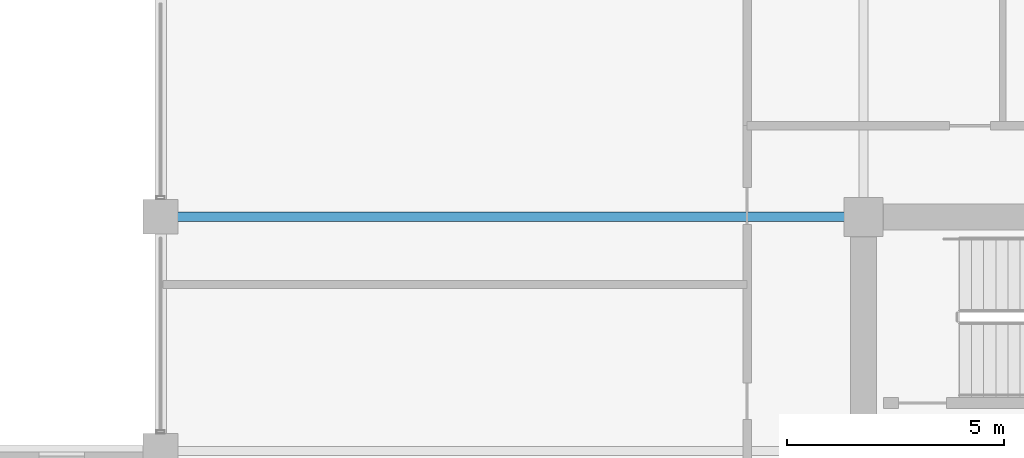
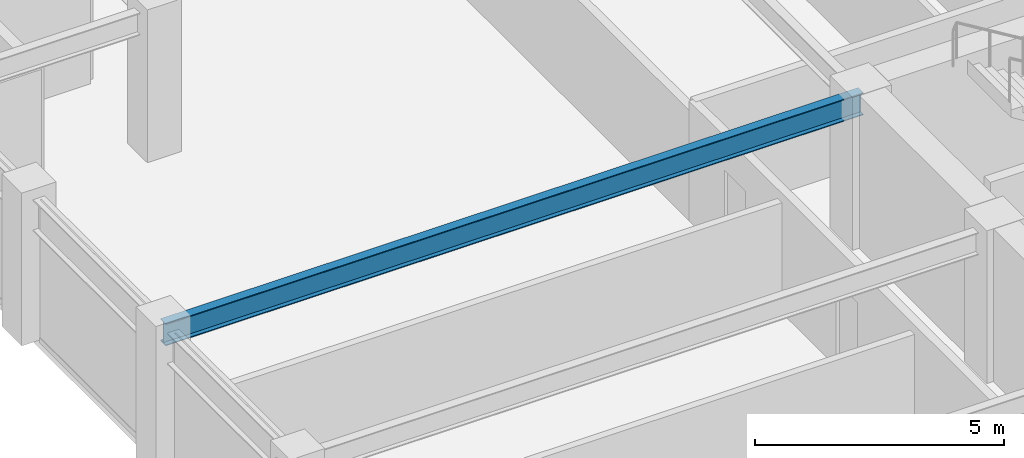
# One storey, part 14 of 28: 1 beam.
"""IFC4 building model written with IfcOpenShell, lengths in metres."""

import ifcopenshell
import ifcopenshell.guid

model = None  # the IFC model being written
_history = None  # IfcOwnerHistory: only IFC2X3 demands one
_inside = {}  # id of a spatial element -> (the spatial element, [elements in it])
_under = {}  # id of a project, library or spatial element -> (it, [spatial elements below it])
_declared = {}  # id of a project -> (the project, [libraries it declares])
_typed = {}  # id of a type object -> (the type object, [elements of that type])
_made_of = {}  # id of a material, layer set ... -> (it, [elements and type objects made of it])


def new_model(schema):
    """Start an empty IFC model of exactly this schema.

    Asked for "IFC4X3", IfcOpenShell would pick the latest addendum, in which some entities
    have other attributes; the version numbers below select the first issue.
    IFC2X3 requires an IfcOwnerHistory on every rooted entity: one is made here for all.
    """
    global model, _history
    if schema == "IFC4X3":
        model = ifcopenshell.file(schema_version=(4, 3, 0, 0))
    else:
        model = ifcopenshell.file(schema=schema)
    _inside.clear()
    _under.clear()
    _declared.clear()
    _typed.clear()
    _made_of.clear()
    _history = None
    if model.schema == "IFC2X3":
        org = make("IfcOrganization", Name="unknown")
        user = make(
            "IfcPersonAndOrganization",
            ThePerson=make("IfcPerson", FamilyName="unknown"),
            TheOrganization=org,
        )
        app = make(
            "IfcApplication",
            ApplicationDeveloper=org,
            Version="unknown",
            ApplicationFullName="unknown",
            ApplicationIdentifier="unknown",
        )
        _history = make(
            "IfcOwnerHistory",
            OwningUser=user,
            OwningApplication=app,
            ChangeAction="ADDED",
            CreationDate=0,
        )
    return model


def make(cls, **values):
    """One entity of the class cls with the attributes given. An attribute that is None is left unset."""
    return model.create_entity(
        cls, **{name: value for name, value in values.items() if value is not None}
    )


def rooted(cls, **values):
    """An entity with a GlobalId (a new one), such as an element, a storey or a relation."""
    return make(cls, GlobalId=ifcopenshell.guid.new(), OwnerHistory=_history, **values)


def si_unit(unit_type, name, prefix=None):
    """IfcSIUnit, for example si_unit("LENGTHUNIT", "METRE", prefix="MILLI")."""
    return make("IfcSIUnit", UnitType=unit_type, Prefix=prefix, Name=name)


def assignment(units):
    """IfcUnitAssignment: the units of a project."""
    return None if units is None else make("IfcUnitAssignment", Units=units)


def point(xyz):
    """IfcCartesianPoint."""
    return None if xyz is None else make("IfcCartesianPoint", Coordinates=xyz)


def direction(xyz):
    """IfcDirection."""
    return None if xyz is None else make("IfcDirection", DirectionRatios=xyz)


def frame(location, z_axis=None, x_axis=None):
    """IfcAxis2Placement3D, a coordinate frame: its origin and axes. An axis left out is left unset."""
    return make(
        "IfcAxis2Placement3D",
        Location=point(location),
        Axis=direction(z_axis),
        RefDirection=direction(x_axis),
    )


def frame_2d(location, x_axis=None):
    """IfcAxis2Placement2D, a coordinate frame in the plane: its origin and x axis."""
    return make(
        "IfcAxis2Placement2D", Location=point(location), RefDirection=direction(x_axis)
    )


def origin():
    """The frame at (0, 0, 0) with its axes left unset."""
    return frame((0.0, 0.0, 0.0))


def origin_2d():
    """The frame at (0, 0) in the plane with its x axis left unset."""
    return frame_2d((0.0, 0.0))


def place(relative_to, where):
    """IfcLocalPlacement: puts the frame where relative to a parent placement (None: the world)."""
    return make(
        "IfcLocalPlacement", PlacementRelTo=relative_to, RelativePlacement=where
    )


def context(
    kind, dimensions, precision=None, world=None, true_north=None, identifier=None
):
    """IfcGeometricRepresentationContext, for example the 3D "Model" context."""
    return make(
        "IfcGeometricRepresentationContext",
        ContextIdentifier=identifier,
        ContextType=kind,
        CoordinateSpaceDimension=dimensions,
        Precision=precision,
        WorldCoordinateSystem=world,
        TrueNorth=true_north,
    )


def subcontext(parent, identifier, kind, view, scale=None):
    """IfcGeometricRepresentationSubContext, for example "Body" below "Model"."""
    return make(
        "IfcGeometricRepresentationSubContext",
        ContextIdentifier=identifier,
        ContextType=kind,
        ParentContext=parent,
        TargetScale=scale,
        TargetView=view,
    )


def project(units=None, contexts=None):
    """IfcProject with its units and contexts."""
    return rooted(
        "IfcProject",
        Name="project",
        RepresentationContexts=contexts,
        UnitsInContext=assignment(units),
    )


def spatial(cls, under=None, at=None, **own):
    """A site, building, storey or space (cls), placed at a placement, below another one or the project."""
    s = rooted(cls, ObjectPlacement=at, **own)
    if under is not None:
        _under.setdefault(under.id(), (under, []))[1].append(s)
    return s


def profile(cls, at=None, kind="AREA", **sizes):
    """A parametric profile (cls). Its sizes go by their IFC names, for example OverallWidth=200.0."""
    return make(cls, ProfileType=kind, Position=at, **sizes)


def i_section(**sizes):
    """IfcIShapeProfileDef."""
    return profile("IfcIShapeProfileDef", **sizes)


def extrude(swept, where, along, depth):
    """IfcExtrudedAreaSolid: the profile swept, set in the frame where, extruded along a direction by depth."""
    return make(
        "IfcExtrudedAreaSolid",
        SweptArea=swept,
        Position=where,
        ExtrudedDirection=direction(along),
        Depth=depth,
    )


def shape(context_of_items, identifier, shape_type, items):
    """IfcShapeRepresentation: the items that make up one representation, for example the "Body"."""
    return make(
        "IfcShapeRepresentation",
        ContextOfItems=context_of_items,
        RepresentationIdentifier=identifier,
        RepresentationType=shape_type,
        Items=items,
    )


def material(Name=None, Category=None):
    """IfcMaterial."""
    return make("IfcMaterial", Name=Name, Category=Category)


def material_profile(
    of_material, cross_section, Name=None, Category=None, Priority=None
):
    """IfcMaterialProfile: a cross section and its material."""
    return make(
        "IfcMaterialProfile",
        Name=Name,
        Material=of_material,
        Profile=cross_section,
        Priority=Priority,
        Category=Category,
    )


def profile_set(profiles, Name=None, composite=None):
    """IfcMaterialProfileSet."""
    return make(
        "IfcMaterialProfileSet",
        Name=Name,
        MaterialProfiles=profiles,
        CompositeProfile=composite,
    )


def made_of(thing, what):
    """Note that an element or type object is made of a material, layer set ...; save() writes the relation."""
    if what is not None:
        _made_of.setdefault(what.id(), (what, []))[1].append(thing)
    return thing


def type_object(cls, material=None, **own):
    """A type object (cls), such as IfcWallType, which elements share."""
    return made_of(rooted(cls, **own), material)


def element(
    cls,
    number,
    at=None,
    inside=None,
    cuts=None,
    type_object=None,
    material=None,
    context=None,
    identifier="Body",
    shape_type=None,
    held_by="IfcProductDefinitionShape",
    body=None,
    shapes=None,
    **own,
):
    """One element of the class cls, such as IfcWall. Its Tag is "e" and its number.

    at: its placement. inside: the storey or other place that contains it. cuts: it is an
    opening in that element (IfcRelVoidsElement). A single representation is given by context,
    identifier, shape_type and body (its items); several are given by shapes. held_by: the class
    of the entity that holds the representations. save() writes the other relations.
    """
    e = rooted(cls, Tag="e%d" % number, ObjectPlacement=at, **own)
    if body is not None:
        shapes = [shape(context, identifier, shape_type, body)]
    if shapes is not None:
        e.Representation = make(held_by, Representations=shapes)
    if inside is not None:
        _inside.setdefault(inside.id(), (inside, []))[1].append(e)
    if cuts is not None:
        rooted(
            "IfcRelVoidsElement", RelatingBuildingElement=cuts, RelatedOpeningElement=e
        )
    if type_object is not None:
        _typed.setdefault(type_object.id(), (type_object, []))[1].append(e)
    return made_of(e, material)


def aggregate(whole, parts):
    """IfcRelAggregates: a whole, such as a stair, and the parts it consists of."""
    return rooted("IfcRelAggregates", RelatingObject=whole, RelatedObjects=parts)


def save(model, path):
    """Write the relations noted so far, then the file.

    IfcRelAggregates (storeys below a building ...), IfcRelContainedInSpatialStructure (elements
    in a storey), IfcRelDefinesByType, IfcRelAssociatesMaterial and IfcRelDeclares: one each for
    every whole, place, type object, material and project.
    """
    for whole, parts in _under.values():
        aggregate(whole, parts)
    for where, things in _inside.values():
        rooted(
            "IfcRelContainedInSpatialStructure",
            RelatedElements=things,
            RelatingStructure=where,
        )
    for kind, things in _typed.values():
        rooted("IfcRelDefinesByType", RelatedObjects=things, RelatingType=kind)
    for what, things in _made_of.values():
        rooted("IfcRelAssociatesMaterial", RelatedObjects=things, RelatingMaterial=what)
    for by, libraries in _declared.values():
        rooted("IfcRelDeclares", RelatingContext=by, RelatedDefinitions=libraries)
    model.write(path)


model = new_model("IFC4")

# Units and contexts
model_context = context("Model", 3, precision=1e-05, world=origin(), true_north=direction((0.0, 1.0)))
body_context = subcontext(model_context, "Body", "Model", "MODEL_VIEW")
ifc_project = project(units=[si_unit("LENGTHUNIT", "METRE"), si_unit("AREAUNIT", "SQUARE_METRE"), si_unit("VOLUMEUNIT", "CUBIC_METRE"), si_unit("PLANEANGLEUNIT", "RADIAN"), si_unit("MASSUNIT", "GRAM", prefix="KILO")], contexts=[model_context])

# Site, building, storey
site_placement = place(None, origin())
site = spatial("IfcSite", under=ifc_project, at=site_placement, CompositionType="ELEMENT")
building_placement = place(site_placement, origin())
building = spatial("IfcBuilding", under=site, at=building_placement, Name="Surkhivell Harbour Commons", CompositionType="ELEMENT")
storey_placement = place(building_placement, frame((0.0, 0.0, 246.0)))
storey = spatial("IfcBuildingStorey", under=building, at=storey_placement, Name="L64", CompositionType="ELEMENT", Elevation=246.0)

# Beam
ifc_material = material(Name="Steel S355", Category="steel")
ifc_material_profile = material_profile(ifc_material, i_section(OverallWidth=0.2119140625, OverallDepth=0.5439453125, WebThickness=0.0126953125, FlangeThickness=0.021240234375, at=origin_2d()), Name="UB533x210x122")
ifc_profile_set = profile_set([ifc_material_profile], Name="Steel S355")
beam_type = type_object("IfcBeamType", Name="BM-GRD-533A", PredefinedType="BEAM", material=ifc_profile_set)
beam_placement = place(storey_placement, frame((-27.0, 10.800048828125, 3.22802734375), z_axis=(1.0, 0.0, 0.0), x_axis=(0.0, 1.0, 0.0)))
element("IfcBeam", 1, at=beam_placement, inside=storey, type_object=beam_type, Name="L64 Floor Girder (-27.0,10.8)", PredefinedType="BEAM", context=body_context, shape_type="SweptSolid", body=[
    extrude(i_section(OverallWidth=0.2119140625, OverallDepth=0.5439453125, WebThickness=0.0126953125, FlangeThickness=0.021240234375, at=origin_2d()), origin(), (0.0, 0.0, 1.0), 16.199951171875),
])

save(model, "model.ifc")
